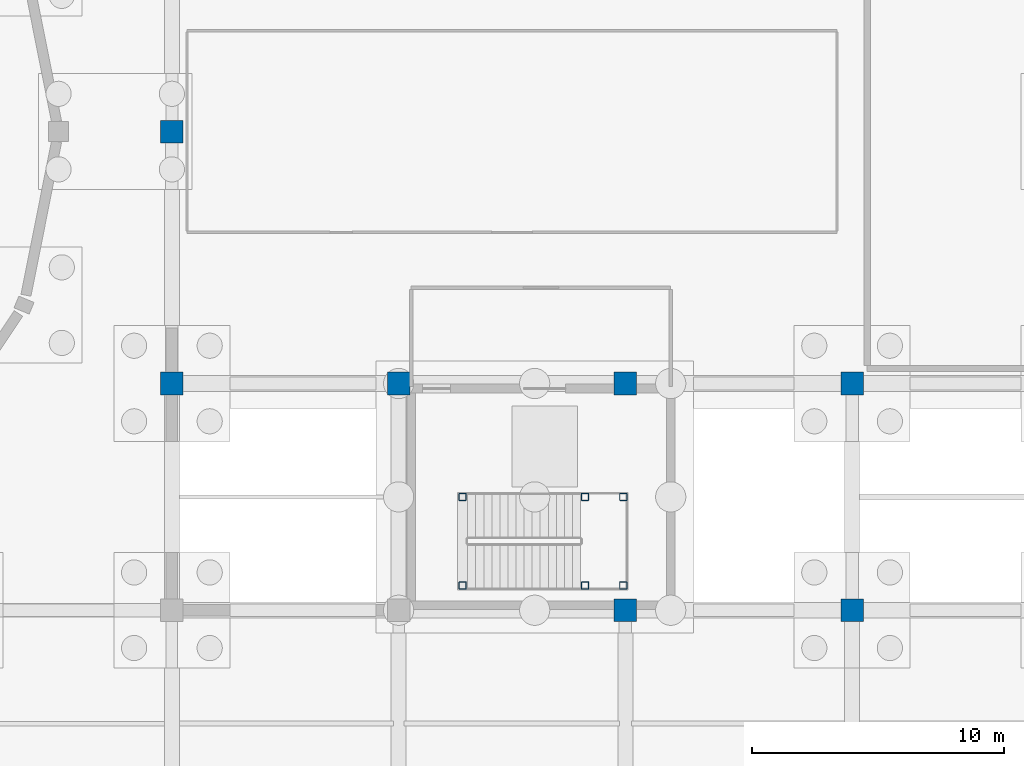
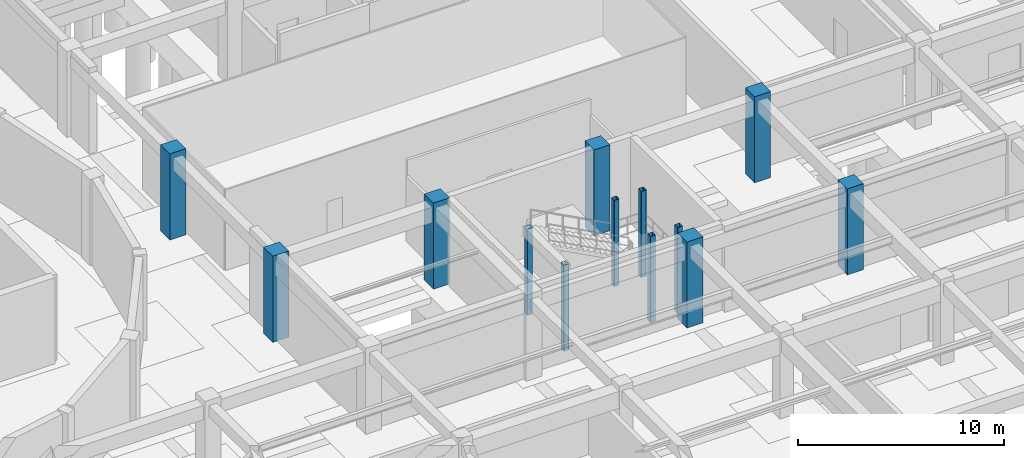
# One storey, part 18 of 62: 13 columns.
"""IFC4 building model written with IfcOpenShell, lengths in metres."""

from ifc_helpers import new_model, si_unit, direction, frame, origin, origin_2d, place, context, subcontext, project, spatial, rectangle, hollow_rectangle, extrude, material, material_profile, profile_set, type_object, element, save


model = new_model("IFC4")

# Units and contexts
model_context = context("Model", 3, precision=1e-05, world=origin(), true_north=direction((0.0, 1.0)))
body_context = subcontext(model_context, "Body", "Model", "MODEL_VIEW")
ifc_project = project(units=[si_unit("LENGTHUNIT", "METRE"), si_unit("AREAUNIT", "SQUARE_METRE"), si_unit("VOLUMEUNIT", "CUBIC_METRE"), si_unit("PLANEANGLEUNIT", "RADIAN"), si_unit("MASSUNIT", "GRAM", prefix="KILO")], contexts=[model_context])

# Site, building, storey
site_placement = place(None, origin())
site = spatial("IfcSite", under=ifc_project, at=site_placement, CompositionType="ELEMENT")
building_placement = place(site_placement, origin())
building = spatial("IfcBuilding", under=site, at=building_placement, Name="Miravela Opera House", CompositionType="ELEMENT")
storey_placement = place(building_placement, frame((0.0, 0.0, -5.10009765625)))
storey = spatial("IfcBuildingStorey", under=building, at=storey_placement, Name="B01", CompositionType="ELEMENT", Elevation=-5.10009765625)

# Columns
ifc_material_1 = material(Name="Hollow structural steel ASTM A500 Gr. C", Category="steel")
ifc_material_profile_1 = material_profile(ifc_material_1, hollow_rectangle(XDim=0.300048828125, YDim=0.300048828125, WallThickness=0.01611328125, InnerFilletRadius=0.01611328125, OuterFilletRadius=0.031982421875, at=origin_2d()), Name="HSS300X300X16")
ifc_profile_set_1 = profile_set([ifc_material_profile_1])
column_type_1 = type_object("IfcColumnType", Name="STR-COL-HSS300", PredefinedType="COLUMN", material=ifc_profile_set_1)
for number, where, z_axis, x_axis, name in (
    (1, (110.5400390625, 37.97998046875, 0.0), (0.0, 0.0, 1.0), (1.0, 0.0, 0.0), "Stair K4 Landing Support Column 1 (B01)"),
    (2, (110.5400390625, 41.5, 0.0), (0.0, 0.0, 1.0), (1.0, 0.0, 0.0), "Stair K4 Landing Support Column 2 (B01)"),
    (3, (115.39990234375, 37.97998046875, 0.0), (0.0, 0.0, 1.0), (1.0, 0.0, 0.0), "Stair K4 Landing Support Column 3 (B01)"),
    (4, (115.39990234375, 41.5, 0.0), (0.0, 0.0, 1.0), (1.0, 0.0, 0.0), "Stair K4 Landing Support Column 4 (B01)"),
    (5, (116.919921875, 37.97998046875, 0.0), (0.0, 0.0, 1.0), (1.0, 0.0, 0.0), "Stair K4 Landing Support Column 5 (B01)"),
    (6, (116.919921875, 41.5, 0.0), (0.0, 0.0, 1.0), (1.0, 0.0, 0.0), "Stair K4 Landing Support Column 6 (B01)"),
):
    element("IfcColumn", number, at=place(storey_placement, frame(where, z_axis=z_axis, x_axis=x_axis)), inside=storey, type_object=column_type_1, Name=name, PredefinedType="COLUMN", context=body_context, shape_type="SweptSolid", body=[
        extrude(hollow_rectangle(XDim=0.300048828125, YDim=0.300048828125, WallThickness=0.01611328125, InnerFilletRadius=0.01611328125, OuterFilletRadius=0.031982421875, at=origin_2d()), origin(), (0.0, 0.0, 1.0), 5.10009765625),
    ])
ifc_material_2 = material(Name="Concrete C40/50", Category="concrete")
ifc_material_profile_2 = material_profile(ifc_material_2, rectangle(XDim=0.89990234375, YDim=0.89990234375, at=origin_2d()), Name="RC-COL-900X900")
ifc_profile_set_2 = profile_set([ifc_material_profile_2])
column_type_2 = type_object("IfcColumnType", Name="STR-COL-RC900", PredefinedType="COLUMN", material=ifc_profile_set_2)
for number, where, z_axis, x_axis, name in (
    (7, (99.0, 46.0, 0.0), (0.0, 0.0, 1.0), (1.0, 0.0, 0.0), "Column C-12F (B01)"),
    (8, (99.0, 56.0, 0.0), (0.0, 0.0, 1.0), (1.0, 0.0, 0.0), "Column C-12G (B01)"),
    (9, (108.0, 46.0, 0.0), (0.0, 0.0, 1.0), (1.0, 0.0, 0.0), "Column C-13F (B01)"),
    (10, (117.0, 37.0, 0.0), (0.0, 0.0, 1.0), (1.0, 0.0, 0.0), "Column C-14E (B01)"),
    (11, (117.0, 46.0, 0.0), (0.0, 0.0, 1.0), (1.0, 0.0, 0.0), "Column C-14F (B01)"),
    (12, (126.0, 37.0, 0.0), (0.0, 0.0, 1.0), (1.0, 0.0, 0.0), "Column C-15E (B01)"),
    (13, (126.0, 46.0, 0.0), (0.0, 0.0, 1.0), (1.0, 0.0, 0.0), "Column C-15F (B01)"),
):
    element("IfcColumn", number, at=place(storey_placement, frame(where, z_axis=z_axis, x_axis=x_axis)), inside=storey, type_object=column_type_2, Name=name, PredefinedType="COLUMN", context=body_context, shape_type="SweptSolid", body=[
        extrude(rectangle(XDim=0.89990234375, YDim=0.89990234375, at=origin_2d()), origin(), (0.0, 0.0, 1.0), 5.10009765625),
    ])

save(model, "model.ifc")
